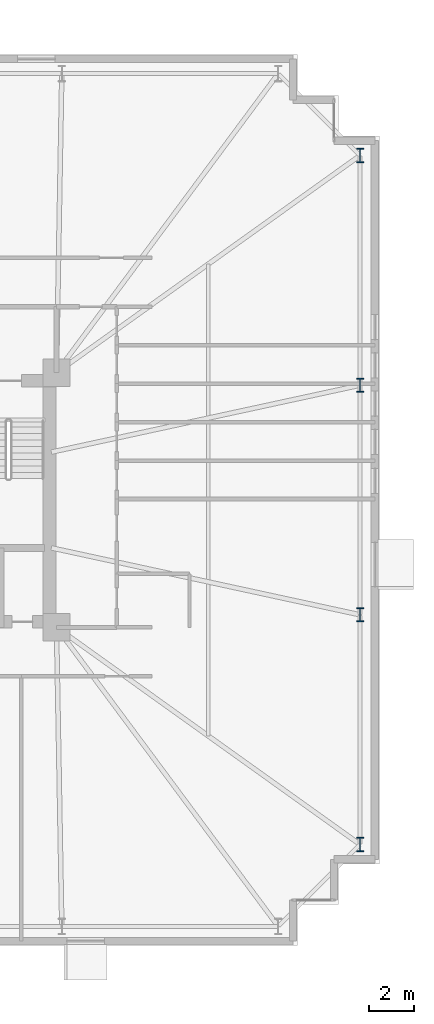
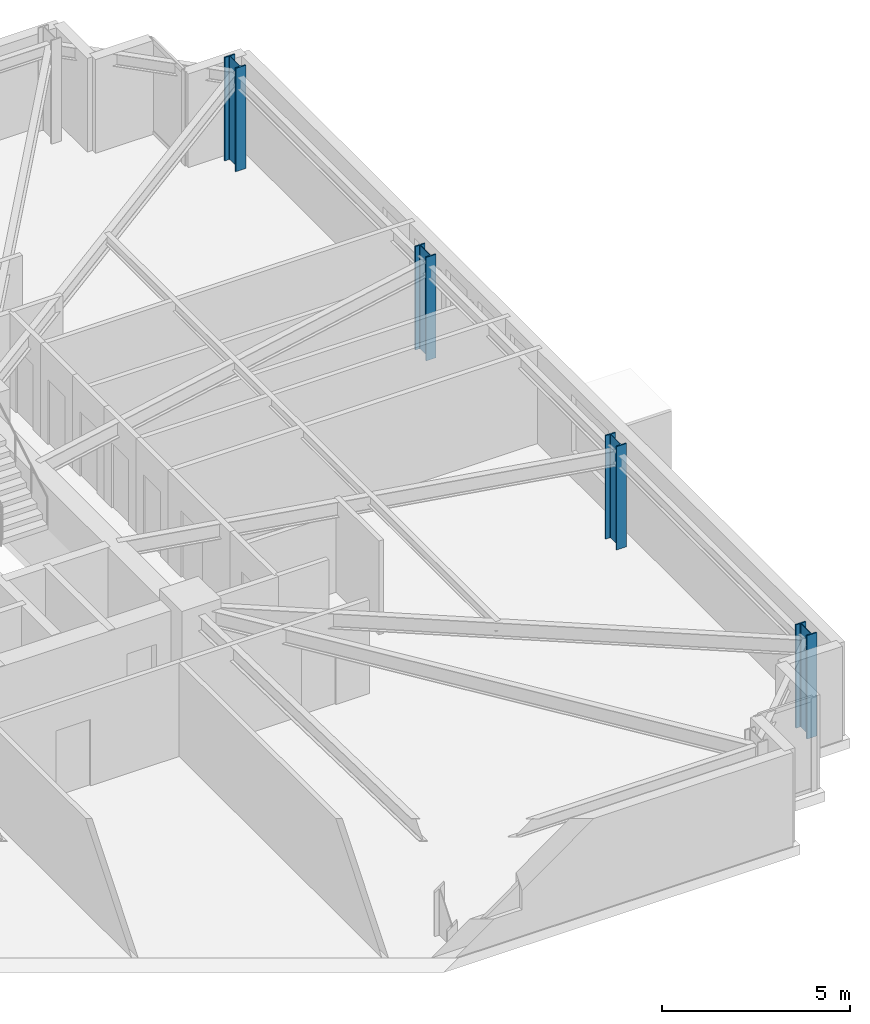
# One storey, part 3 of 24: 4 columns.
"""IFC4 building model written with IfcOpenShell, lengths in metres."""

from ifc_helpers import new_model, si_unit, direction, frame, origin, origin_2d, place, context, subcontext, project, spatial, i_section, extrude, material, material_profile, profile_set, type_object, element, save


model = new_model("IFC4")

# Units and contexts
model_context = context("Model", 3, precision=1e-05, world=origin(), true_north=direction((0.0, 1.0)))
body_context = subcontext(model_context, "Body", "Model", "MODEL_VIEW")
ifc_project = project(units=[si_unit("LENGTHUNIT", "METRE"), si_unit("AREAUNIT", "SQUARE_METRE"), si_unit("VOLUMEUNIT", "CUBIC_METRE"), si_unit("PLANEANGLEUNIT", "RADIAN"), si_unit("MASSUNIT", "GRAM", prefix="KILO")], contexts=[model_context])

# Site, building, storey
site_placement = place(None, origin())
site = spatial("IfcSite", under=ifc_project, at=site_placement, CompositionType="ELEMENT")
building_placement = place(site_placement, origin())
building = spatial("IfcBuilding", under=site, at=building_placement, Name="Qobustan Lattice House", CompositionType="ELEMENT")
storey_placement = place(building_placement, frame((0.0, 0.0, 43.75)))
storey = spatial("IfcBuildingStorey", under=building, at=storey_placement, Name="L11", CompositionType="ELEMENT", Elevation=43.75)

# Columns
ifc_material = material(Name="Steel S460", Category="steel")
ifc_material_profile = material_profile(ifc_material, i_section(OverallWidth=0.304931640625, OverallDepth=0.6201171875, WebThickness=0.02099609375, FlangeThickness=0.0400390625, FilletRadius=0.027099609375, at=origin_2d()), Name="HEM600")
ifc_profile_set = profile_set([ifc_material_profile], Name="Steel S460")
column_type = type_object("IfcColumnType", Name="COL-ST-HEM600", PredefinedType="COLUMN", material=ifc_profile_set)
for number, where, z_axis, x_axis, name in (
    (1, (32.14990234375, -15.14990234375, 0.0), (0.0, 0.0, 1.0), (1.0, 0.0, 0.0), "L11 B1 perimeter column E1"),
    (2, (32.14990234375, -5.050048828125, 0.0), (0.0, 0.0, 1.0), (1.0, 0.0, 0.0), "L11 B1 perimeter column E2"),
    (3, (32.14990234375, 5.050048828125, 0.0), (0.0, 0.0, 1.0), (1.0, 0.0, 0.0), "L11 B1 perimeter column E3"),
    (4, (32.14990234375, 15.14990234375, 0.0), (0.0, 0.0, 1.0), (1.0, 0.0, 0.0), "L11 B1 perimeter column E4"),
):
    element("IfcColumn", number, at=place(storey_placement, frame(where, z_axis=z_axis, x_axis=x_axis)), inside=storey, type_object=column_type, Name=name, PredefinedType="COLUMN", context=body_context, shape_type="SweptSolid", body=[
        extrude(i_section(OverallWidth=0.304931640625, OverallDepth=0.6201171875, WebThickness=0.02099609375, FlangeThickness=0.0400390625, FilletRadius=0.027099609375, at=origin_2d()), origin(), (0.0, 0.0, 1.0), 3.35009765625),
    ])

save(model, "model.ifc")
